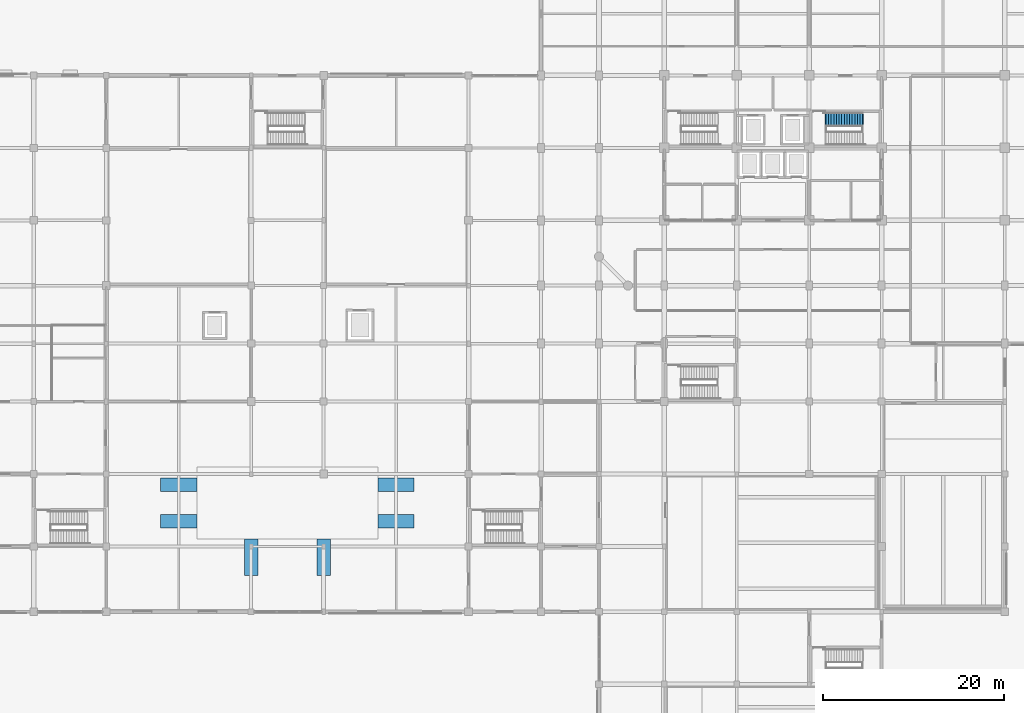
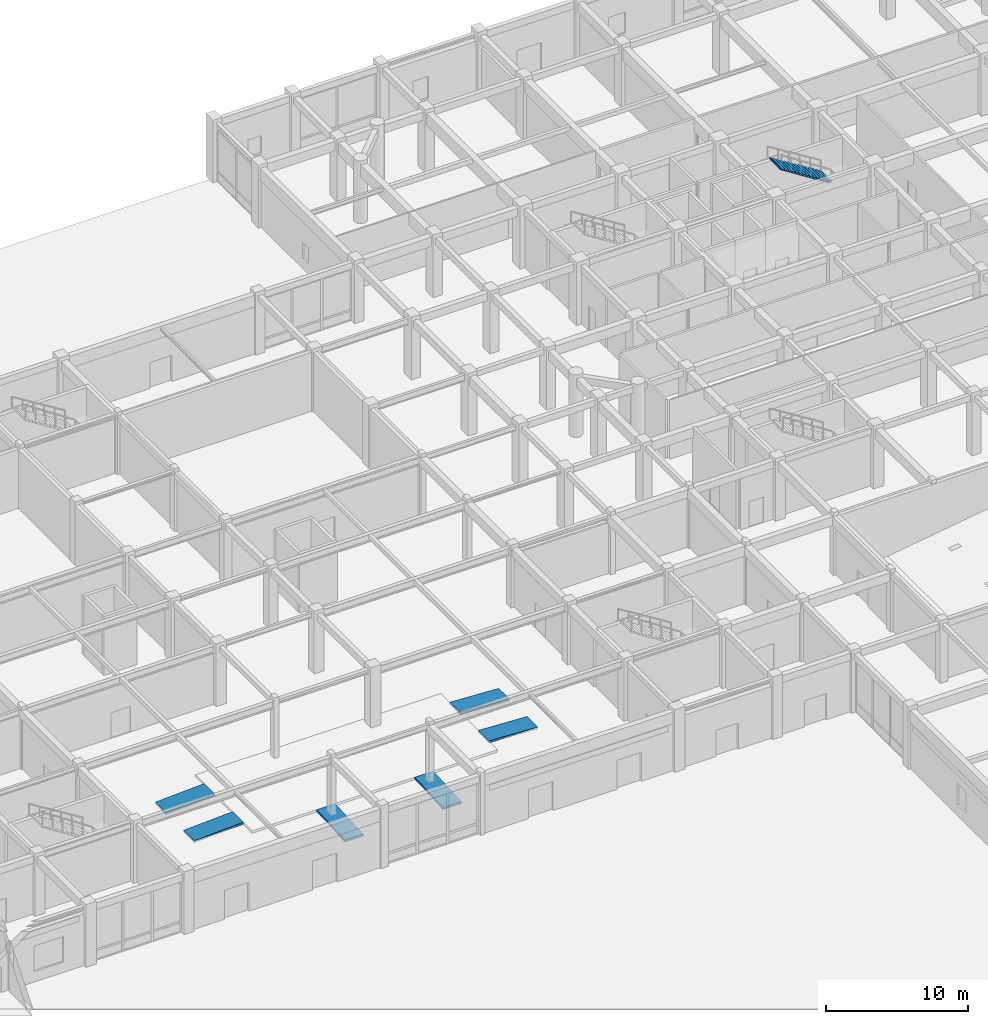
# One storey, part 36 of 40: 6 ramp flights, 1 stair flight, 7 elements without a shape of their own.
"""IFC4 building model written with IfcOpenShell, lengths in metres."""

from ifc_helpers import new_model, si_unit, direction, frame, origin, place, context, subcontext, project, spatial, polyline, outline, extrude, material, type_object, element, aggregate, save


model = new_model("IFC4")

# Units and contexts
model_context = context("Model", 3, precision=1e-05, world=origin(), true_north=direction((0.0, 1.0)))
body_context = subcontext(model_context, "Body", "Model", "MODEL_VIEW")
ifc_project = project(units=[si_unit("LENGTHUNIT", "METRE"), si_unit("AREAUNIT", "SQUARE_METRE"), si_unit("VOLUMEUNIT", "CUBIC_METRE"), si_unit("PLANEANGLEUNIT", "RADIAN"), si_unit("MASSUNIT", "GRAM", prefix="KILO")], contexts=[model_context])

# Site, building, storey
site_placement = place(None, origin())
site = spatial("IfcSite", under=ifc_project, at=site_placement, CompositionType="ELEMENT")
building_placement = place(site_placement, origin())
building = spatial("IfcBuilding", under=site, at=building_placement, Name="Vellmiral Cinema and Media Centre", CompositionType="ELEMENT")
storey_placement = place(building_placement, origin())
storey = spatial("IfcBuildingStorey", under=building, at=storey_placement, Name="L00", CompositionType="ELEMENT", Elevation=0.0)

# Stair, stair flight
ifc_material_1 = material(Name="Concrete C40/50", Category="concrete")
stair_type = type_object("IfcStairType", Name="ST-2RET-540", PredefinedType="HALF_TURN_STAIR", material=ifc_material_1)
stair_placement = place(storey_placement, origin())
stair = element("IfcStair", 1, at=stair_placement, inside=storey, type_object=stair_type, Name="Protected Escape Stair ST-T2 (L00)", PredefinedType="HALF_TURN_STAIR")
ifc_material_2 = material(Name="Concrete C40/50", Category="concrete")
stair_flight_type = type_object("IfcStairFlightType", Name="STF-STR-540", PredefinedType="STRAIGHT", material=ifc_material_2)
stair_flight_placement = place(storey_placement, frame((145.909912109375, 90.35009765625, 2.699951171875), z_axis=(0.0, 0.0, 1.0), x_axis=(-1.0, 0.0, 0.0)))
stair_flight = element("IfcStairFlight", 2, at=stair_flight_placement, type_object=stair_flight_type, Name="ST-T2 flight 2", NumberOfRisers=15, NumberOfTreads=14, PredefinedType="STRAIGHT", RiserHeight=0.18, TreadLength=0.29, context=body_context, shape_type="SweptSolid", body=[
    extrude(outline(polyline([(-0.080078125, 0.0), (-0.080078125, 0.10009765625), (0.0, 0.179931640625), (0.2900390625, 0.179931640625), (0.2900390625, 0.360107421875), (0.580078125, 0.360107421875), (0.580078125, 0.5400390625), (0.8701171875, 0.5400390625), (0.8701171875, 0.719970703125), (1.159912109375, 0.719970703125), (1.159912109375, 0.89990234375), (1.449951171875, 0.89990234375), (1.449951171875, 1.080078125), (1.739990234375, 1.080078125), (1.739990234375, 1.260009765625), (2.030029296875, 1.260009765625), (2.030029296875, 1.43994140625), (2.320068359375, 1.43994140625), (2.320068359375, 1.6201171875), (2.610107421875, 1.6201171875), (2.610107421875, 1.800048828125), (2.89990234375, 1.800048828125), (2.89990234375, 1.97998046875), (3.18994140625, 1.97998046875), (3.18994140625, 2.159912109375), (3.47998046875, 2.159912109375), (3.47998046875, 2.340087890625), (3.77001953125, 2.340087890625), (3.77001953125, 2.52001953125), (4.06005859375, 2.52001953125), (4.06005859375, 2.699951171875), (4.14013671875, 2.699951171875), (4.14013671875, 2.5400390625), (0.179931640625, 0.0), (-0.080078125, 0.0)])), frame((0.0, 0.75, 0.0), z_axis=(0.0, -1.0, 0.0), x_axis=(1.0, 0.0, 0.0)), (0.0, 0.0, 1.0), 1.5),
])
aggregate(stair, [stair_flight])

# Ramp, ramp flight
ifc_material_3 = material(Name="Concrete C40/50", Category="concrete")
ramp_type = type_object("IfcRampType", Name="RMP-ACC-1500", PredefinedType="STRAIGHT_RUN_RAMP", material=ifc_material_3)
ramp_1_placement = place(storey_placement, origin())
ramp_1 = element("IfcRamp", 3, at=ramp_1_placement, inside=storey, type_object=ramp_type, Name="Accessible Foyer Ramp RMP-01", PredefinedType="STRAIGHT_RUN_RAMP")
ifc_material_4 = material(Name="Concrete C40/50", Category="concrete")
ramp_flight_type = type_object("IfcRampFlightType", Name="RMF-ACC-1500", PredefinedType="STRAIGHT", material=ifc_material_4)
ramp_flight_1_placement = place(storey_placement, frame((68.39990234375, 46.0, 0.0), z_axis=(0.0, 0.0, 1.0), x_axis=(1.0, 0.0, 0.0)))
ramp_flight_1 = element("IfcRampFlight", 4, at=ramp_flight_1_placement, type_object=ramp_flight_type, Name="RMP-01 flight 1", PredefinedType="STRAIGHT", context=body_context, shape_type="SweptSolid", body=[
    extrude(outline(polyline([(0.0, -0.179931640625), (0.0, 0.0), (4.0, 0.199951171875), (4.0, 0.02001953125), (0.0, -0.179931640625)])), frame((0.0, 0.75, 0.0), z_axis=(0.0, -1.0, 0.0), x_axis=(1.0, 0.0, 0.0)), (0.0, 0.0, 1.0), 1.5),
])
aggregate(ramp_1, [ramp_flight_1])

ramp_2_placement = place(storey_placement, origin())
ramp_2 = element("IfcRamp", 5, at=ramp_2_placement, inside=storey, type_object=ramp_type, Name="Accessible Foyer Ramp RMP-02", PredefinedType="STRAIGHT_RUN_RAMP")
ramp_flight_2_placement = place(storey_placement, frame((68.39990234375, 50.0, 0.0), z_axis=(0.0, 0.0, 1.0), x_axis=(1.0, 0.0, 0.0)))
ramp_flight_2 = element("IfcRampFlight", 6, at=ramp_flight_2_placement, type_object=ramp_flight_type, Name="RMP-02 flight 1", PredefinedType="STRAIGHT", context=body_context, shape_type="SweptSolid", body=[
    extrude(outline(polyline([(0.0, -0.179931640625), (0.0, 0.0), (4.0, 0.199951171875), (4.0, 0.02001953125), (0.0, -0.179931640625)])), frame((0.0, 0.75, 0.0), z_axis=(0.0, -1.0, 0.0), x_axis=(1.0, 0.0, 0.0)), (0.0, 0.0, 1.0), 1.5),
])
aggregate(ramp_2, [ramp_flight_2])

ramp_3_placement = place(storey_placement, origin())
ramp_3 = element("IfcRamp", 7, at=ramp_3_placement, inside=storey, type_object=ramp_type, Name="Accessible Foyer Ramp RMP-03", PredefinedType="STRAIGHT_RUN_RAMP")
ramp_flight_3_placement = place(storey_placement, frame((96.39990234375, 46.0, 0.0), z_axis=(0.0, 0.0, 1.0), x_axis=(-1.0, 0.0, 0.0)))
ramp_flight_3 = element("IfcRampFlight", 8, at=ramp_flight_3_placement, type_object=ramp_flight_type, Name="RMP-03 flight 1", PredefinedType="STRAIGHT", context=body_context, shape_type="SweptSolid", body=[
    extrude(outline(polyline([(0.0, -0.179931640625), (0.0, 0.0), (4.0, 0.199951171875), (4.0, 0.02001953125), (0.0, -0.179931640625)])), frame((0.0, 0.75, 0.0), z_axis=(0.0, -1.0, 0.0), x_axis=(1.0, 0.0, 0.0)), (0.0, 0.0, 1.0), 1.5),
])
aggregate(ramp_3, [ramp_flight_3])

ramp_4_placement = place(storey_placement, origin())
ramp_4 = element("IfcRamp", 9, at=ramp_4_placement, inside=storey, type_object=ramp_type, Name="Accessible Foyer Ramp RMP-04", PredefinedType="STRAIGHT_RUN_RAMP")
ramp_flight_4_placement = place(storey_placement, frame((96.39990234375, 50.0, 0.0), z_axis=(0.0, 0.0, 1.0), x_axis=(-1.0, 0.0, 0.0)))
ramp_flight_4 = element("IfcRampFlight", 10, at=ramp_flight_4_placement, type_object=ramp_flight_type, Name="RMP-04 flight 1", PredefinedType="STRAIGHT", context=body_context, shape_type="SweptSolid", body=[
    extrude(outline(polyline([(0.0, -0.179931640625), (0.0, 0.0), (4.0, 0.199951171875), (4.0, 0.02001953125), (0.0, -0.179931640625)])), frame((0.0, 0.75, 0.0), z_axis=(0.0, -1.0, 0.0), x_axis=(1.0, 0.0, 0.0)), (0.0, 0.0, 1.0), 1.5),
])
aggregate(ramp_4, [ramp_flight_4])

ramp_5_placement = place(storey_placement, origin())
ramp_5 = element("IfcRamp", 11, at=ramp_5_placement, inside=storey, type_object=ramp_type, Name="Accessible Foyer Ramp RMP-05", PredefinedType="STRAIGHT_RUN_RAMP")
ramp_flight_5_placement = place(storey_placement, frame((78.39990234375, 40.0, 0.0), z_axis=(0.0, 0.0, 1.0), x_axis=(0.0, 1.0, 0.0)))
ramp_flight_5 = element("IfcRampFlight", 12, at=ramp_flight_5_placement, type_object=ramp_flight_type, Name="RMP-05 flight 1", PredefinedType="STRAIGHT", context=body_context, shape_type="SweptSolid", body=[
    extrude(outline(polyline([(0.0, -0.179931640625), (0.0, 0.0), (4.0, 0.199951171875), (4.0, 0.02001953125), (0.0, -0.179931640625)])), frame((0.0, 0.75, 0.0), z_axis=(0.0, -1.0, 0.0), x_axis=(1.0, 0.0, 0.0)), (0.0, 0.0, 1.0), 1.5),
])
aggregate(ramp_5, [ramp_flight_5])

ramp_6_placement = place(storey_placement, origin())
ramp_6 = element("IfcRamp", 13, at=ramp_6_placement, inside=storey, type_object=ramp_type, Name="Accessible Foyer Ramp RMP-06", PredefinedType="STRAIGHT_RUN_RAMP")
ramp_flight_6_placement = place(storey_placement, frame((86.39990234375, 40.0, 0.0), z_axis=(0.0, 0.0, 1.0), x_axis=(0.0, 1.0, 0.0)))
ramp_flight_6 = element("IfcRampFlight", 14, at=ramp_flight_6_placement, type_object=ramp_flight_type, Name="RMP-06 flight 1", PredefinedType="STRAIGHT", context=body_context, shape_type="SweptSolid", body=[
    extrude(outline(polyline([(0.0, -0.179931640625), (0.0, 0.0), (4.0, 0.199951171875), (4.0, 0.02001953125), (0.0, -0.179931640625)])), frame((0.0, 0.75, 0.0), z_axis=(0.0, -1.0, 0.0), x_axis=(1.0, 0.0, 0.0)), (0.0, 0.0, 1.0), 1.5),
])
aggregate(ramp_6, [ramp_flight_6])

save(model, "model.ifc")
